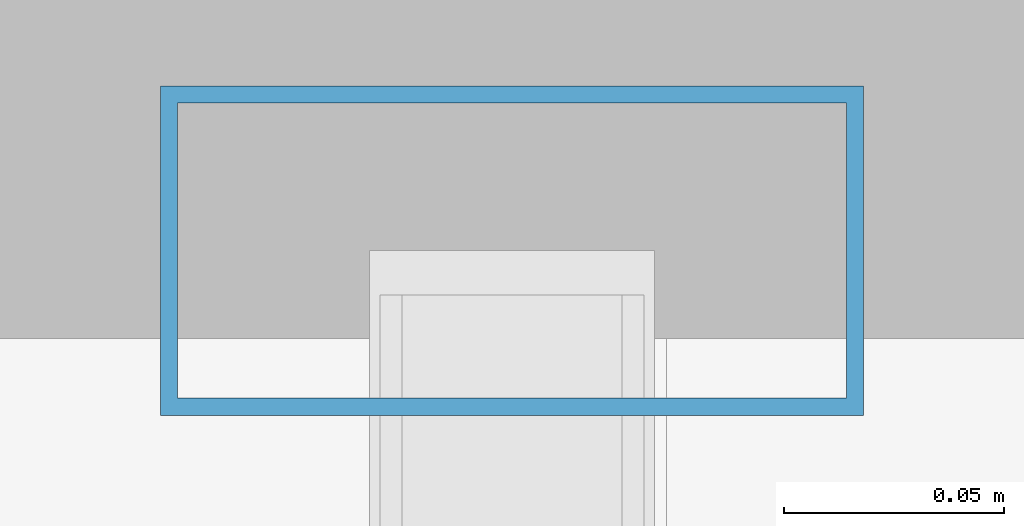
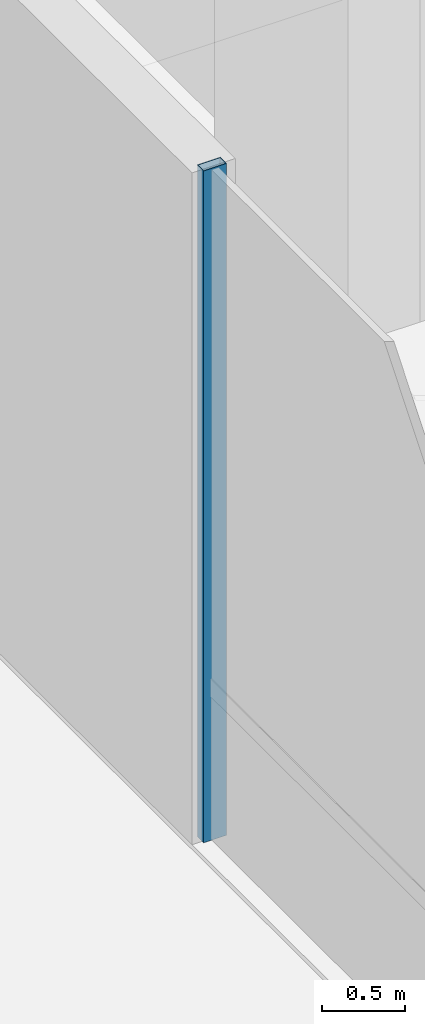
# One storey, part 8 of 27: 1 member, 1 element without a shape of its own.
"""IFC4 building model written with IfcOpenShell, lengths in metres."""

from ifc_helpers import new_model, si_unit, direction, frame, origin, origin_2d, place, context, subcontext, project, spatial, hollow_rectangle, extrude, source, transform, mapped, material, material_profile, profile_set, type_object, element, aggregate, save


model = new_model("IFC4")

# Units and contexts
model_context = context("Model", 3, precision=1e-05, world=origin(), true_north=direction((0.0, 1.0)))
body_context = subcontext(model_context, "Body", "Model", "MODEL_VIEW")
ifc_project = project(units=[si_unit("LENGTHUNIT", "METRE"), si_unit("AREAUNIT", "SQUARE_METRE"), si_unit("VOLUMEUNIT", "CUBIC_METRE"), si_unit("PLANEANGLEUNIT", "RADIAN"), si_unit("MASSUNIT", "GRAM", prefix="KILO")], contexts=[model_context])

# Site, building, storey
site_placement = place(None, origin())
site = spatial("IfcSite", under=ifc_project, at=site_placement, CompositionType="ELEMENT")
building_placement = place(site_placement, origin())
building = spatial("IfcBuilding", under=site, at=building_placement, Name="Valdorenza Pilgrim Sanctuary Tower", CompositionType="ELEMENT")
storey_placement = place(building_placement, origin())
storey = spatial("IfcBuildingStorey", under=building, at=storey_placement, Name="L00", CompositionType="ELEMENT", Elevation=0.0)

# Curtain wall, member
ifc_material_1 = material(Name="Curtain-wall IGU glazing", Category="glass")
curtain_wall_type = type_object("IfcCurtainWallType", Name="CW-SYS-01", PredefinedType="NOTDEFINED", material=ifc_material_1)
curtain_wall_placement = place(storey_placement, origin())
curtain_wall = element("IfcCurtainWall", 1, at=curtain_wall_placement, inside=storey, type_object=curtain_wall_type, Name="L00 Curtain Wall CW-POD-L00-WW", PredefinedType="NOTDEFINED")
ifc_material_2 = material(Name="Anodised aluminium AW-6060", Category="aluminium")
ifc_material_profile = material_profile(ifc_material_2, hollow_rectangle(XDim=0.074951171875, YDim=0.159912109375, WallThickness=0.00390625, at=origin_2d()), Name="ALU-M 160x75x4")
ifc_profile_set = profile_set([ifc_material_profile], Name="Anodised aluminium AW-6060")
member_type = type_object("IfcMemberType", Name="CW-MUL-01", PredefinedType="MULLION", material=ifc_profile_set)
shared_shape = source(origin(), body_context, "Body", "SweptSolid", [
    extrude(hollow_rectangle(XDim=0.074951171875, YDim=0.159912109375, WallThickness=0.00390625, at=origin_2d()), origin(), (0.0, 0.0, 1.0), 4.919921875),
])
member_placement = place(storey_placement, frame((-33.85009765625, 10.0, 0.0), z_axis=(0.0, 0.0, 1.0), x_axis=(0.0, 1.0, 0.0)))
member = element("IfcMember", 2, at=member_placement, type_object=member_type, Name="CW-POD-L00-WW Mullion 4", PredefinedType="MULLION", context=body_context, shape_type="MappedRepresentation", body=[
    mapped(shared_shape, transform((0.0, 0.0, 0.0), x_axis=(1.0, 0.0, 0.0), y_axis=(0.0, 1.0, 0.0), z_axis=(0.0, 0.0, 1.0), scale=1.0)),
])
aggregate(curtain_wall, [member])

save(model, "model.ifc")
